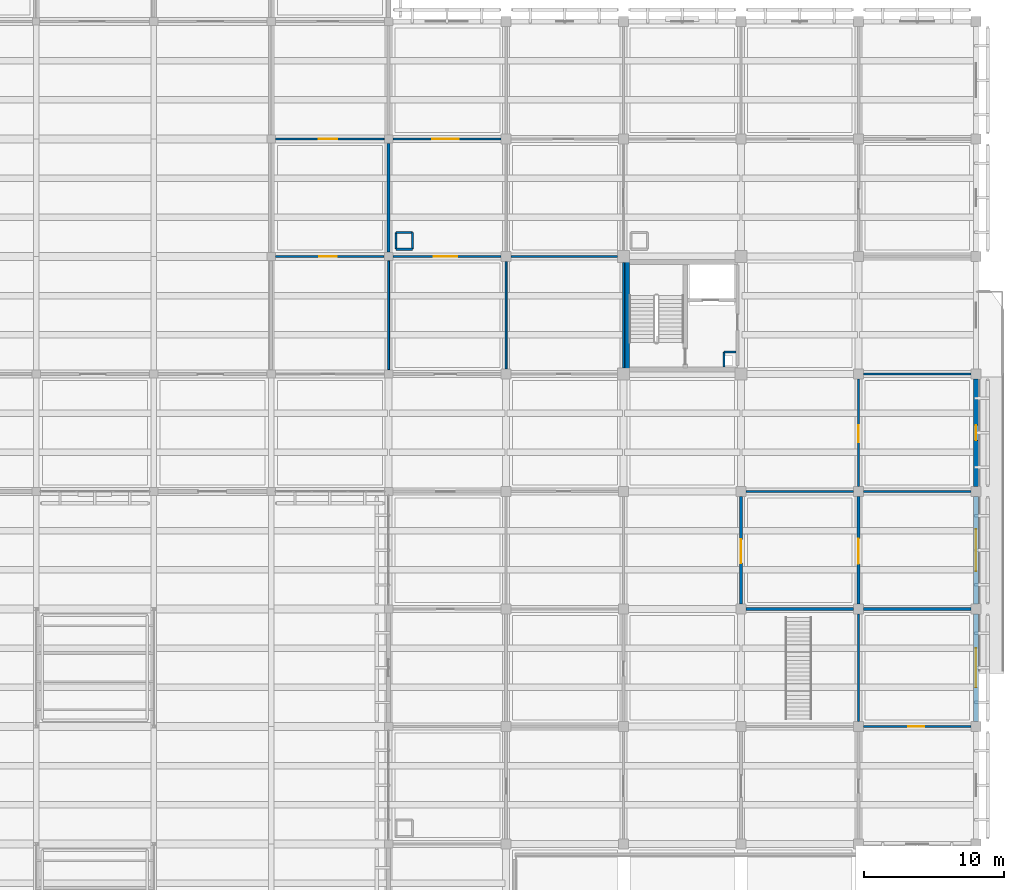
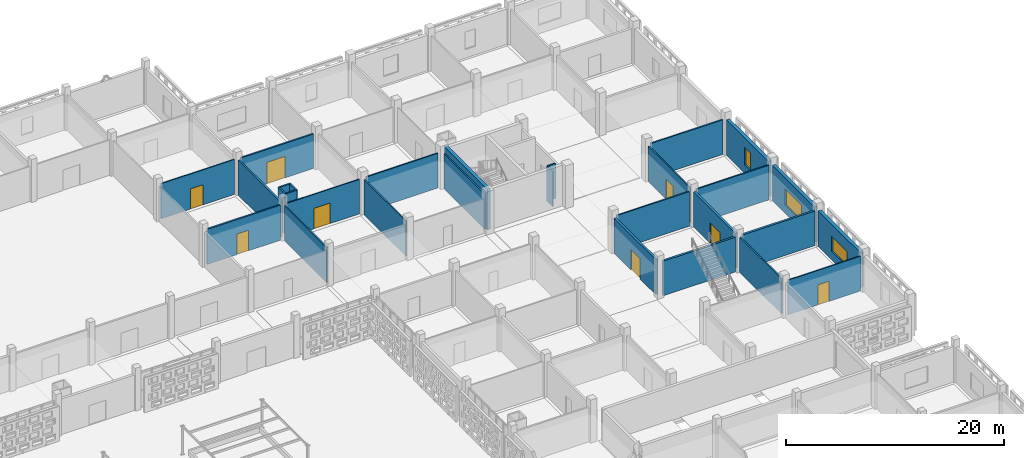
# One storey, part 72 of 129: 29 walls, 8 doors, 3 windows, 11 openings.
"""IFC4 building model written with IfcOpenShell, lengths in metres."""

import ifcopenshell
import ifcopenshell.guid

model = None  # the IFC model being written
_history = None  # IfcOwnerHistory: only IFC2X3 demands one
_inside = {}  # id of a spatial element -> (the spatial element, [elements in it])
_under = {}  # id of a project, library or spatial element -> (it, [spatial elements below it])
_declared = {}  # id of a project -> (the project, [libraries it declares])
_typed = {}  # id of a type object -> (the type object, [elements of that type])
_made_of = {}  # id of a material, layer set ... -> (it, [elements and type objects made of it])


def new_model(schema):
    """Start an empty IFC model of exactly this schema.

    Asked for "IFC4X3", IfcOpenShell would pick the latest addendum, in which some entities
    have other attributes; the version numbers below select the first issue.
    IFC2X3 requires an IfcOwnerHistory on every rooted entity: one is made here for all.
    """
    global model, _history
    if schema == "IFC4X3":
        model = ifcopenshell.file(schema_version=(4, 3, 0, 0))
    else:
        model = ifcopenshell.file(schema=schema)
    _inside.clear()
    _under.clear()
    _declared.clear()
    _typed.clear()
    _made_of.clear()
    _history = None
    if model.schema == "IFC2X3":
        org = make("IfcOrganization", Name="unknown")
        user = make(
            "IfcPersonAndOrganization",
            ThePerson=make("IfcPerson", FamilyName="unknown"),
            TheOrganization=org,
        )
        app = make(
            "IfcApplication",
            ApplicationDeveloper=org,
            Version="unknown",
            ApplicationFullName="unknown",
            ApplicationIdentifier="unknown",
        )
        _history = make(
            "IfcOwnerHistory",
            OwningUser=user,
            OwningApplication=app,
            ChangeAction="ADDED",
            CreationDate=0,
        )
    return model


def make(cls, **values):
    """One entity of the class cls with the attributes given. An attribute that is None is left unset."""
    return model.create_entity(
        cls, **{name: value for name, value in values.items() if value is not None}
    )


def rooted(cls, **values):
    """An entity with a GlobalId (a new one), such as an element, a storey or a relation."""
    return make(cls, GlobalId=ifcopenshell.guid.new(), OwnerHistory=_history, **values)


def si_unit(unit_type, name, prefix=None):
    """IfcSIUnit, for example si_unit("LENGTHUNIT", "METRE", prefix="MILLI")."""
    return make("IfcSIUnit", UnitType=unit_type, Prefix=prefix, Name=name)


def assignment(units):
    """IfcUnitAssignment: the units of a project."""
    return None if units is None else make("IfcUnitAssignment", Units=units)


def point(xyz):
    """IfcCartesianPoint."""
    return None if xyz is None else make("IfcCartesianPoint", Coordinates=xyz)


def direction(xyz):
    """IfcDirection."""
    return None if xyz is None else make("IfcDirection", DirectionRatios=xyz)


def frame(location, z_axis=None, x_axis=None):
    """IfcAxis2Placement3D, a coordinate frame: its origin and axes. An axis left out is left unset."""
    return make(
        "IfcAxis2Placement3D",
        Location=point(location),
        Axis=direction(z_axis),
        RefDirection=direction(x_axis),
    )


def frame_2d(location, x_axis=None):
    """IfcAxis2Placement2D, a coordinate frame in the plane: its origin and x axis."""
    return make(
        "IfcAxis2Placement2D", Location=point(location), RefDirection=direction(x_axis)
    )


def origin():
    """The frame at (0, 0, 0) with its axes left unset."""
    return frame((0.0, 0.0, 0.0))


def place(relative_to, where):
    """IfcLocalPlacement: puts the frame where relative to a parent placement (None: the world)."""
    return make(
        "IfcLocalPlacement", PlacementRelTo=relative_to, RelativePlacement=where
    )


def context(
    kind, dimensions, precision=None, world=None, true_north=None, identifier=None
):
    """IfcGeometricRepresentationContext, for example the 3D "Model" context."""
    return make(
        "IfcGeometricRepresentationContext",
        ContextIdentifier=identifier,
        ContextType=kind,
        CoordinateSpaceDimension=dimensions,
        Precision=precision,
        WorldCoordinateSystem=world,
        TrueNorth=true_north,
    )


def subcontext(parent, identifier, kind, view, scale=None):
    """IfcGeometricRepresentationSubContext, for example "Body" below "Model"."""
    return make(
        "IfcGeometricRepresentationSubContext",
        ContextIdentifier=identifier,
        ContextType=kind,
        ParentContext=parent,
        TargetScale=scale,
        TargetView=view,
    )


def project(units=None, contexts=None):
    """IfcProject with its units and contexts."""
    return rooted(
        "IfcProject",
        Name="project",
        RepresentationContexts=contexts,
        UnitsInContext=assignment(units),
    )


def spatial(cls, under=None, at=None, **own):
    """A site, building, storey or space (cls), placed at a placement, below another one or the project."""
    s = rooted(cls, ObjectPlacement=at, **own)
    if under is not None:
        _under.setdefault(under.id(), (under, []))[1].append(s)
    return s


def profile(cls, at=None, kind="AREA", **sizes):
    """A parametric profile (cls). Its sizes go by their IFC names, for example OverallWidth=200.0."""
    return make(cls, ProfileType=kind, Position=at, **sizes)


def rectangle(**sizes):
    """IfcRectangleProfileDef."""
    return profile("IfcRectangleProfileDef", **sizes)


def extrude(swept, where, along, depth):
    """IfcExtrudedAreaSolid: the profile swept, set in the frame where, extruded along a direction by depth."""
    return make(
        "IfcExtrudedAreaSolid",
        SweptArea=swept,
        Position=where,
        ExtrudedDirection=direction(along),
        Depth=depth,
    )


def shape(context_of_items, identifier, shape_type, items):
    """IfcShapeRepresentation: the items that make up one representation, for example the "Body"."""
    return make(
        "IfcShapeRepresentation",
        ContextOfItems=context_of_items,
        RepresentationIdentifier=identifier,
        RepresentationType=shape_type,
        Items=items,
    )


def material(Name=None, Category=None):
    """IfcMaterial."""
    return make("IfcMaterial", Name=Name, Category=Category)


def layer(
    of_material, thickness, ventilated=None, Name=None, Category=None, Priority=None
):
    """IfcMaterialLayer: one layer of a wall or slab, of a material (None: an air gap)."""
    return make(
        "IfcMaterialLayer",
        Material=of_material,
        LayerThickness=thickness,
        IsVentilated=ventilated,
        Name=Name,
        Category=Category,
        Priority=Priority,
    )


def layer_set(layers, Name=None):
    """IfcMaterialLayerSet."""
    return make("IfcMaterialLayerSet", MaterialLayers=layers, LayerSetName=Name)


def made_of(thing, what):
    """Note that an element or type object is made of a material, layer set ...; save() writes the relation."""
    if what is not None:
        _made_of.setdefault(what.id(), (what, []))[1].append(thing)
    return thing


def type_object(cls, material=None, **own):
    """A type object (cls), such as IfcWallType, which elements share."""
    return made_of(rooted(cls, **own), material)


def element(
    cls,
    number,
    at=None,
    inside=None,
    cuts=None,
    type_object=None,
    material=None,
    context=None,
    identifier="Body",
    shape_type=None,
    held_by="IfcProductDefinitionShape",
    body=None,
    shapes=None,
    **own,
):
    """One element of the class cls, such as IfcWall. Its Tag is "e" and its number.

    at: its placement. inside: the storey or other place that contains it. cuts: it is an
    opening in that element (IfcRelVoidsElement). A single representation is given by context,
    identifier, shape_type and body (its items); several are given by shapes. held_by: the class
    of the entity that holds the representations. save() writes the other relations.
    """
    e = rooted(cls, Tag="e%d" % number, ObjectPlacement=at, **own)
    if body is not None:
        shapes = [shape(context, identifier, shape_type, body)]
    if shapes is not None:
        e.Representation = make(held_by, Representations=shapes)
    if inside is not None:
        _inside.setdefault(inside.id(), (inside, []))[1].append(e)
    if cuts is not None:
        rooted(
            "IfcRelVoidsElement", RelatingBuildingElement=cuts, RelatedOpeningElement=e
        )
    if type_object is not None:
        _typed.setdefault(type_object.id(), (type_object, []))[1].append(e)
    return made_of(e, material)


def fill(opening, filler):
    """IfcRelFillsElement: the door or window that sits in an opening."""
    return rooted(
        "IfcRelFillsElement",
        RelatingOpeningElement=opening,
        RelatedBuildingElement=filler,
    )


def aggregate(whole, parts):
    """IfcRelAggregates: a whole, such as a stair, and the parts it consists of."""
    return rooted("IfcRelAggregates", RelatingObject=whole, RelatedObjects=parts)


def save(model, path):
    """Write the relations noted so far, then the file.

    IfcRelAggregates (storeys below a building ...), IfcRelContainedInSpatialStructure (elements
    in a storey), IfcRelDefinesByType, IfcRelAssociatesMaterial and IfcRelDeclares: one each for
    every whole, place, type object, material and project.
    """
    for whole, parts in _under.values():
        aggregate(whole, parts)
    for where, things in _inside.values():
        rooted(
            "IfcRelContainedInSpatialStructure",
            RelatedElements=things,
            RelatingStructure=where,
        )
    for kind, things in _typed.values():
        rooted("IfcRelDefinesByType", RelatedObjects=things, RelatingType=kind)
    for what, things in _made_of.values():
        rooted("IfcRelAssociatesMaterial", RelatedObjects=things, RelatingMaterial=what)
    for by, libraries in _declared.values():
        rooted("IfcRelDeclares", RelatingContext=by, RelatedDefinitions=libraries)
    model.write(path)


model = new_model("IFC4")

# Units and contexts
model_context = context("Model", 3, precision=1e-05, world=origin(), true_north=direction((0.0, 1.0)))
body_context = subcontext(model_context, "Body", "Model", "MODEL_VIEW")
ifc_project = project(units=[si_unit("LENGTHUNIT", "METRE"), si_unit("AREAUNIT", "SQUARE_METRE"), si_unit("VOLUMEUNIT", "CUBIC_METRE"), si_unit("PLANEANGLEUNIT", "RADIAN"), si_unit("MASSUNIT", "GRAM", prefix="KILO")], contexts=[model_context])

# Site, building, storey
site_placement = place(None, origin())
site = spatial("IfcSite", under=ifc_project, at=site_placement, CompositionType="ELEMENT")
building_placement = place(site_placement, origin())
building = spatial("IfcBuilding", under=site, at=building_placement, Name="Varnapada Polytechnic", CompositionType="ELEMENT")
storey_placement = place(building_placement, origin())
storey = spatial("IfcBuildingStorey", under=building, at=storey_placement, Name="L00", CompositionType="ELEMENT", Elevation=0.0)

# Walls
ifc_material_1 = material(Name="Autoclaved Aerated Concrete Block AAC-600", Category="concrete")
ifc_layer_1 = layer(ifc_material_1, 0.14990234375)
ifc_layer_set_1 = layer_set([ifc_layer_1], Name="Autoclaved Aerated Concrete Block AAC-600")
wall_type_1 = type_object("IfcWallType", Name="Interior Wall IW-02", PredefinedType="PARTITIONING", material=ifc_layer_set_1)
wall_1_placement = place(storey_placement, frame((158.3798828125, 93.9599609375, 0.0), z_axis=(0.0, 0.0, 1.0), x_axis=(0.0, -1.0, 0.0)))
element("IfcWall", 1, at=wall_1_placement, inside=storey, type_object=wall_type_1, Name="L00 C5 riser shaft west wall", PredefinedType="PARTITIONING", context=body_context, shape_type="SweptSolid", body=[
    extrude(rectangle(XDim=1.06005859375, YDim=0.14990234375, at=frame_2d((0.530029296875, 0.0))), origin(), (0.0, 0.0, 1.0), 3.919921875),
])
wall_2_placement = place(storey_placement, frame((158.3798828125, 93.9599609375, 0.0), z_axis=(0.0, 0.0, 1.0), x_axis=(1.0, 0.0, 0.0)))
element("IfcWall", 2, at=wall_2_placement, inside=storey, type_object=wall_type_1, Name="L00 C5 riser shaft north wall", PredefinedType="PARTITIONING", context=body_context, shape_type="SweptSolid", body=[
    extrude(rectangle(XDim=0.860107421875, YDim=0.14990234375, at=frame_2d((0.43017578125, 0.0))), origin(), (0.0, 0.0, 1.0), 3.919921875),
])
wall_3_placement = place(storey_placement, frame((134.919921875, 101.320068359375, 0.0), z_axis=(0.0, 0.0, 1.0), x_axis=(1.0, 0.0, 0.0)))
element("IfcWall", 3, at=wall_3_placement, inside=storey, type_object=wall_type_1, Name="L00 enclosed service riser wall (17,13) S", PredefinedType="PARTITIONING", context=body_context, shape_type="SweptSolid", body=[
    extrude(rectangle(XDim=1.2001953125, YDim=0.14990234375, at=frame_2d((0.60009765625, 0.0))), origin(), (0.0, 0.0, 1.0), 4.550048828125),
])
wall_4_placement = place(storey_placement, frame((136.1201171875, 101.320068359375, 0.0), z_axis=(0.0, 0.0, 1.0), x_axis=(0.0, 1.0, 0.0)))
element("IfcWall", 4, at=wall_4_placement, inside=storey, type_object=wall_type_1, Name="L00 enclosed service riser wall (17,13) E", PredefinedType="PARTITIONING", context=body_context, shape_type="SweptSolid", body=[
    extrude(rectangle(XDim=1.199951171875, YDim=0.14990234375, at=frame_2d((0.60009765625, 0.0))), origin(), (0.0, 0.0, 1.0), 4.550048828125),
])
wall_5_placement = place(storey_placement, frame((136.1201171875, 102.52001953125, 0.0), z_axis=(0.0, 0.0, 1.0), x_axis=(-1.0, 0.0, 0.0)))
element("IfcWall", 5, at=wall_5_placement, inside=storey, type_object=wall_type_1, Name="L00 enclosed service riser wall (17,13) N", PredefinedType="PARTITIONING", context=body_context, shape_type="SweptSolid", body=[
    extrude(rectangle(XDim=1.2001953125, YDim=0.14990234375, at=frame_2d((0.60009765625, 0.0))), origin(), (0.0, 0.0, 1.0), 4.550048828125),
])
wall_6_placement = place(storey_placement, frame((134.919921875, 102.52001953125, 0.0), z_axis=(0.0, 0.0, 1.0), x_axis=(0.0, -1.0, 0.0)))
element("IfcWall", 6, at=wall_6_placement, inside=storey, type_object=wall_type_1, Name="L00 enclosed service riser wall (17,13) W", PredefinedType="PARTITIONING", context=body_context, shape_type="SweptSolid", body=[
    extrude(rectangle(XDim=1.199951171875, YDim=0.14990234375, at=frame_2d((0.60009765625, 0.0))), origin(), (0.0, 0.0, 1.0), 4.550048828125),
])
wall_7_placement = place(storey_placement, frame((159.969970703125, 84.0, 0.0), z_axis=(0.0, 0.0, 1.0), x_axis=(1.0, 0.0, 0.0)))
element("IfcWall", 7, at=wall_7_placement, inside=storey, type_object=wall_type_1, Name="L00 interior partition IW-L00-19-09-H", PredefinedType="PARTITIONING", context=body_context, shape_type="SweptSolid", body=[
    extrude(rectangle(XDim=7.659912109375, YDim=0.14990234375, at=frame_2d((3.830078125, 0.0))), origin(), (0.0, 0.0, 1.0), 3.8701171875),
])

# Wall, opening, door
ifc_material_2 = material(Name="Gypsum Plasterboard Acoustic Partition")
ifc_layer_2 = layer(ifc_material_2, 0.125)
ifc_layer_set_2 = layer_set([ifc_layer_2], Name="Gypsum Plasterboard Acoustic Partition")
wall_type_2 = type_object("IfcWallType", Name="Interior Wall IW-03", PredefinedType="PARTITIONING", material=ifc_layer_set_2)
wall_8_placement = place(storey_placement, frame((134.719970703125, 100.800048828125, 0.0), z_axis=(0.0, 0.0, 1.0), x_axis=(1.0, 0.0, 0.0)))
wall_8 = element("IfcWall", 8, at=wall_8_placement, inside=storey, type_object=wall_type_2, Name="L00 interior partition IW-L00-16-11-H", PredefinedType="PARTITIONING", context=body_context, shape_type="SweptSolid", body=[
    extrude(rectangle(XDim=7.7099609375, YDim=0.125, at=frame_2d((3.85498046875, 0.0))), origin(), (0.0, 0.0, 1.0), 3.860107421875),
])
opening_1_placement = place(wall_8_placement, frame((2.89990234375, 0.0, 0.0)))
opening_1 = element("IfcOpeningElement", 9, at=opening_1_placement, cuts=wall_8, Name="Opening D-912", PredefinedType="OPENING", context=body_context, shape_type="SweptSolid", body=[
    extrude(rectangle(XDim=1.699951171875, YDim=2.300048828125, at=frame_2d((0.85009765625, 1.14990234375))), frame((0.0, 0.072509765625, 0.0), z_axis=(0.0, -1.0, 0.0), x_axis=(1.0, 0.0, 0.0)), (0.0, 0.0, 1.0), 0.14501953125),
])
ifc_material_3 = material(Name="Acoustic Double Timber Leaf", Category="wood")
door_type_1 = type_object("IfcDoorType", Name="Interior Door ID-13", OperationType="NOTDEFINED", PredefinedType="DOOR", material=ifc_material_3)
door_1_placement = place(opening_1_placement, origin())
door_1 = element("IfcDoor", 10, at=door_1_placement, inside=storey, type_object=door_type_1, Name="L00 interior room door D-912", OperationType="SINGLE_SWING_LEFT", OverallHeight=2.300048828125, OverallWidth=1.699951171875, PredefinedType="DOOR", context=body_context, shape_type="SweptSolid", body=[
    extrude(rectangle(XDim=1.699951171875, YDim=2.300048828125, at=frame_2d((0.85009765625, 1.14990234375))), frame((0.0, 0.02490234375, 0.0), z_axis=(0.0, -1.0, 0.0), x_axis=(1.0, 0.0, 0.0)), (0.0, 0.0, 1.0), 0.050048828125),
])
fill(opening_1, door_1)

wall_9_placement = place(storey_placement, frame((168.0, 84.3701171875, 0.0), z_axis=(0.0, 0.0, 1.0), x_axis=(0.0, 1.0, 0.0)))
wall_9 = element("IfcWall", 11, at=wall_9_placement, inside=storey, type_object=wall_type_2, Name="L00 interior partition IW-L00-19-10-V", PredefinedType="PARTITIONING", context=body_context, shape_type="SweptSolid", body=[
    extrude(rectangle(XDim=7.659912109375, YDim=0.125, at=frame_2d((3.830078125, 0.0))), origin(), (0.0, 0.0, 1.0), 3.919921875),
])
opening_2_placement = place(wall_9_placement, frame((3.14990234375, 0.0, 0.0)))
opening_2 = element("IfcOpeningElement", 12, at=opening_2_placement, cuts=wall_9, Name="Opening D-938", PredefinedType="OPENING", context=body_context, shape_type="SweptSolid", body=[
    extrude(rectangle(XDim=1.199951171875, YDim=2.199951171875, at=frame_2d((0.60009765625, 1.10009765625))), frame((0.0, 0.072509765625, 0.0), z_axis=(0.0, -1.0, 0.0), x_axis=(1.0, 0.0, 0.0)), (0.0, 0.0, 1.0), 0.14501953125),
])
ifc_material_4 = material(Name="Solid Teak Hardwood Timber", Category="wood")
door_type_2 = type_object("IfcDoorType", Name="Interior Door ID-05", OperationType="NOTDEFINED", PredefinedType="DOOR", material=ifc_material_4)
door_2_placement = place(opening_2_placement, frame((1.199951171875, 0.0, 0.0), z_axis=(0.0, 0.0, 1.0), x_axis=(-1.0, 0.0, 0.0)))
door_2 = element("IfcDoor", 13, at=door_2_placement, inside=storey, type_object=door_type_2, Name="L00 interior room door D-938", OperationType="SINGLE_SWING_LEFT", OverallHeight=2.199951171875, OverallWidth=1.199951171875, PredefinedType="DOOR", context=body_context, shape_type="SweptSolid", body=[
    extrude(rectangle(XDim=1.199951171875, YDim=2.199951171875, at=frame_2d((0.60009765625, 1.10009765625))), frame((0.0, 0.02490234375, 0.0), z_axis=(0.0, -1.0, 0.0), x_axis=(1.0, 0.0, 0.0)), (0.0, 0.0, 1.0), 0.050048828125),
])
fill(opening_2, door_2)

# Walls
ifc_material_5 = material(Name="Moisture-Resistant Cement Board Partition")
ifc_layer_3 = layer(ifc_material_5, 0.139892578125)
ifc_layer_set_3 = layer_set([ifc_layer_3], Name="Moisture-Resistant Cement Board Partition")
wall_type_3 = type_object("IfcWallType", Name="Interior Wall IW-04", PredefinedType="PARTITIONING", material=ifc_layer_set_3)
wall_10_placement = place(storey_placement, frame((142.800048828125, 92.77001953125, 0.0), z_axis=(0.0, 0.0, 1.0), x_axis=(0.0, 1.0, 0.0)))
element("IfcWall", 14, at=wall_10_placement, inside=storey, type_object=wall_type_3, Name="L00 interior partition IW-L00-16-11-V", PredefinedType="PARTITIONING", context=body_context, shape_type="SweptSolid", body=[
    extrude(rectangle(XDim=7.659912109375, YDim=0.139892578125, at=frame_2d((3.830078125, 0.0))), origin(), (0.0, 0.0, 1.0), 3.919921875),
])
wall_11_placement = place(storey_placement, frame((151.199951171875, 92.844970703125, 0.0), z_axis=(0.0, 0.0, 1.0), x_axis=(0.0, 1.0, 0.0)))
element("IfcWall", 15, at=wall_11_placement, inside=storey, type_object=wall_type_3, Name="L00 interior partition IW-L00-17-11-V", PredefinedType="PARTITIONING", context=body_context, shape_type="SweptSolid", body=[
    extrude(rectangle(XDim=7.510009765625, YDim=0.139892578125, at=frame_2d((3.7548828125, 0.0))), origin(), (0.0, 0.0, 1.0), 3.919921875),
])
wall_12_placement = place(storey_placement, frame((143.169921875, 100.800048828125, 0.0), z_axis=(0.0, 0.0, 1.0), x_axis=(1.0, 0.0, 0.0)))
element("IfcWall", 16, at=wall_12_placement, inside=storey, type_object=wall_type_3, Name="L00 interior partition IW-L00-17-11-H", PredefinedType="PARTITIONING", context=body_context, shape_type="SweptSolid", body=[
    extrude(rectangle(XDim=7.5849609375, YDim=0.139892578125, at=frame_2d((3.79248046875, 0.0))), origin(), (0.0, 0.0, 1.0), 3.8701171875),
])

# Wall, opening, door
ifc_material_6 = material(Name="Cross-laminated timber CLT C24", Category="wood")
ifc_layer_4 = layer(ifc_material_6, 0.159912109375)
ifc_layer_set_4 = layer_set([ifc_layer_4], Name="Cross-laminated timber CLT C24")
wall_type_4 = type_object("IfcWallType", Name="Interior Wall IW-05", PredefinedType="PARTITIONING", material=ifc_layer_set_4)
wall_13_placement = place(storey_placement, frame((134.719970703125, 109.199951171875, 0.0), z_axis=(0.0, 0.0, 1.0), x_axis=(1.0, 0.0, 0.0)))
wall_13 = element("IfcWall", 17, at=wall_13_placement, inside=storey, type_object=wall_type_4, Name="L00 interior partition IW-L00-16-12-H", PredefinedType="PARTITIONING", context=body_context, shape_type="SweptSolid", body=[
    extrude(rectangle(XDim=7.7099609375, YDim=0.159912109375, at=frame_2d((3.85498046875, 0.0))), origin(), (0.0, 0.0, 1.0), 3.860107421875),
])
opening_3_placement = place(wall_13_placement, frame((2.800048828125, 0.0, 0.0)))
opening_3 = element("IfcOpeningElement", 18, at=opening_3_placement, cuts=wall_13, Name="Opening D-913", PredefinedType="OPENING", context=body_context, shape_type="SweptSolid", body=[
    extrude(rectangle(XDim=1.89990234375, YDim=2.39990234375, at=frame_2d((0.949951171875, 1.199951171875))), frame((0.0, 0.08984375, 0.0), z_axis=(0.0, -1.0, 0.0), x_axis=(1.0, 0.0, 0.0)), (0.0, 0.0, 1.0), 0.179931640625),
])
ifc_material_7 = material(Name="Heavy Workshop Double Steel Door", Category="steel")
door_type_3 = type_object("IfcDoorType", Name="Interior Door ID-14", OperationType="NOTDEFINED", PredefinedType="DOOR", material=ifc_material_7)
door_3_placement = place(opening_3_placement, origin())
door_3 = element("IfcDoor", 19, at=door_3_placement, inside=storey, type_object=door_type_3, Name="L00 interior room door D-913", OperationType="SINGLE_SWING_RIGHT", OverallHeight=2.39990234375, OverallWidth=1.89990234375, PredefinedType="DOOR", context=body_context, shape_type="SweptSolid", body=[
    extrude(rectangle(XDim=1.89990234375, YDim=2.39990234375, at=frame_2d((0.949951171875, 1.199951171875))), frame((0.0, 0.02490234375, 0.0), z_axis=(0.0, -1.0, 0.0), x_axis=(1.0, 0.0, 0.0)), (0.0, 0.0, 1.0), 0.050048828125),
])
fill(opening_3, door_3)

# Wall
ifc_material_8 = material(Name="Calcium Silicate Acoustic Lab Partition")
ifc_layer_5 = layer(ifc_material_8, 0.135009765625)
ifc_layer_set_5 = layer_set([ifc_layer_5], Name="Calcium Silicate Acoustic Lab Partition")
wall_type_5 = type_object("IfcWallType", Name="Interior Wall IW-09", PredefinedType="PARTITIONING", material=ifc_layer_set_5)
wall_14_placement = place(storey_placement, frame((134.39990234375, 92.719970703125, 0.0), z_axis=(0.0, 0.0, 1.0), x_axis=(0.0, 1.0, 0.0)))
element("IfcWall", 20, at=wall_14_placement, inside=storey, type_object=wall_type_5, Name="L00 interior partition IW-L00-15-11-V", PredefinedType="PARTITIONING", context=body_context, shape_type="SweptSolid", body=[
    extrude(rectangle(XDim=7.760009765625, YDim=0.135009765625, at=frame_2d((3.8798828125, 0.0))), origin(), (0.0, 0.0, 1.0), 3.919921875),
])

# Wall, opening, door
ifc_material_9 = material(Name="Double-Layer Fireboard Workshop Wall")
ifc_layer_6 = layer(ifc_material_9, 0.169921875)
ifc_layer_set_6 = layer_set([ifc_layer_6], Name="Double-Layer Fireboard Workshop Wall")
wall_type_6 = type_object("IfcWallType", Name="Interior Wall IW-10", PredefinedType="PARTITIONING", material=ifc_layer_set_6)
wall_15_placement = place(storey_placement, frame((126.320068359375, 100.800048828125, 0.0), z_axis=(0.0, 0.0, 1.0), x_axis=(1.0, 0.0, 0.0)))
wall_15 = element("IfcWall", 21, at=wall_15_placement, inside=storey, type_object=wall_type_6, Name="L00 interior partition IW-L00-15-11-H", PredefinedType="PARTITIONING", context=body_context, shape_type="SweptSolid", body=[
    extrude(rectangle(XDim=7.760009765625, YDim=0.169921875, at=frame_2d((3.8798828125, 0.0))), origin(), (0.0, 0.0, 1.0), 3.919921875),
])
opening_4_placement = place(wall_15_placement, frame((3.125, 0.0, 0.0)))
opening_4 = element("IfcOpeningElement", 22, at=opening_4_placement, cuts=wall_15, Name="Opening D-898", PredefinedType="OPENING", context=body_context, shape_type="SweptSolid", body=[
    extrude(rectangle(XDim=1.25, YDim=2.300048828125, at=frame_2d((0.625, 1.14990234375))), frame((0.0, 0.094970703125, 0.0), z_axis=(0.0, -1.0, 0.0), x_axis=(1.0, 0.0, 0.0)), (0.0, 0.0, 1.0), 0.18994140625),
])
door_type_4 = type_object("IfcDoorType", Name="Interior Door ID-16", OperationType="NOTDEFINED", PredefinedType="DOOR", material=ifc_material_4)
door_4_placement = place(opening_4_placement, origin())
door_4 = element("IfcDoor", 23, at=door_4_placement, inside=storey, type_object=door_type_4, Name="L00 interior room door D-898", OperationType="SINGLE_SWING_LEFT", OverallHeight=2.300048828125, OverallWidth=1.25, PredefinedType="DOOR", context=body_context, shape_type="SweptSolid", body=[
    extrude(rectangle(XDim=1.25, YDim=2.300048828125, at=frame_2d((0.625, 1.14990234375))), frame((0.0, 0.02490234375, 0.0), z_axis=(0.0, -1.0, 0.0), x_axis=(1.0, 0.0, 0.0)), (0.0, 0.0, 1.0), 0.050048828125),
])
fill(opening_4, door_4)

# Wall
ifc_material_10 = material(Name="Insulated Masonry Plant Room Wall", Category="masonry")
ifc_layer_7 = layer(ifc_material_10, 0.18994140625)
ifc_layer_set_7 = layer_set([ifc_layer_7], Name="Insulated Masonry Plant Room Wall")
wall_type_7 = type_object("IfcWallType", Name="Interior Wall IW-11", PredefinedType="PARTITIONING", material=ifc_layer_set_7)
wall_16_placement = place(storey_placement, frame((134.39990234375, 101.1201171875, 0.0), z_axis=(0.0, 0.0, 1.0), x_axis=(0.0, 1.0, 0.0)))
element("IfcWall", 24, at=wall_16_placement, inside=storey, type_object=wall_type_7, Name="L00 interior partition IW-L00-15-12-V", PredefinedType="PARTITIONING", context=body_context, shape_type="SweptSolid", body=[
    extrude(rectangle(XDim=7.759765625, YDim=0.18994140625, at=frame_2d((3.8798828125, 0.0))), origin(), (0.0, 0.0, 1.0), 3.919921875),
])

# Wall, opening, door
ifc_material_11 = material(Name="Timber-Stud Studio Critique Partition", Category="wood")
ifc_layer_8 = layer(ifc_material_11, 0.114990234375)
ifc_layer_set_8 = layer_set([ifc_layer_8], Name="Timber-Stud Studio Critique Partition")
wall_type_8 = type_object("IfcWallType", Name="Interior Wall IW-12", PredefinedType="PARTITIONING", material=ifc_layer_set_8)
wall_17_placement = place(storey_placement, frame((126.320068359375, 109.199951171875, 0.0), z_axis=(0.0, 0.0, 1.0), x_axis=(1.0, 0.0, 0.0)))
wall_17 = element("IfcWall", 25, at=wall_17_placement, inside=storey, type_object=wall_type_8, Name="L00 interior partition IW-L00-15-12-H", PredefinedType="PARTITIONING", context=body_context, shape_type="SweptSolid", body=[
    extrude(rectangle(XDim=7.760009765625, YDim=0.114990234375, at=frame_2d((3.8798828125, 0.0))), origin(), (0.0, 0.0, 1.0), 3.919921875),
])
opening_5_placement = place(wall_17_placement, frame((3.074951171875, 0.0, 0.0)))
opening_5 = element("IfcOpeningElement", 26, at=opening_5_placement, cuts=wall_17, Name="Opening D-899", PredefinedType="OPENING", context=body_context, shape_type="SweptSolid", body=[
    extrude(rectangle(XDim=1.35009765625, YDim=2.25, at=frame_2d((0.675048828125, 1.125))), frame((0.0, 0.0673828125, 0.0), z_axis=(0.0, -1.0, 0.0), x_axis=(1.0, 0.0, 0.0)), (0.0, 0.0, 1.0), 0.135009765625),
])
ifc_material_12 = material(Name="Powder-Coated Aluminium 6063-T6", Category="aluminium")
door_type_5 = type_object("IfcDoorType", Name="Interior Door ID-17", OperationType="NOTDEFINED", PredefinedType="DOOR", material=ifc_material_12)
door_5_placement = place(opening_5_placement, frame((1.35009765625, 0.0, 0.0), z_axis=(0.0, 0.0, 1.0), x_axis=(-1.0, 0.0, 0.0)))
door_5 = element("IfcDoor", 27, at=door_5_placement, inside=storey, type_object=door_type_5, Name="L00 interior room door D-899", OperationType="SINGLE_SWING_RIGHT", OverallHeight=2.25, OverallWidth=1.35009765625, PredefinedType="DOOR", context=body_context, shape_type="SweptSolid", body=[
    extrude(rectangle(XDim=1.35009765625, YDim=2.25, at=frame_2d((0.675048828125, 1.125))), frame((0.0, 0.02490234375, 0.0), z_axis=(0.0, -1.0, 0.0), x_axis=(1.0, 0.0, 0.0)), (0.0, 0.0, 1.0), 0.050048828125),
])
fill(opening_5, door_5)

wall_18_placement = place(storey_placement, frame((168.3701171875, 67.199951171875, 0.0), z_axis=(0.0, 0.0, 1.0), x_axis=(1.0, 0.0, 0.0)))
wall_18 = element("IfcWall", 28, at=wall_18_placement, inside=storey, type_object=wall_type_8, Name="L00 interior partition IW-L00-20-07-H", PredefinedType="PARTITIONING", context=body_context, shape_type="SweptSolid", body=[
    extrude(rectangle(XDim=7.659912109375, YDim=0.114990234375, at=frame_2d((3.830078125, 0.0))), origin(), (0.0, 0.0, 1.0), 3.8701171875),
])
opening_6_placement = place(wall_18_placement, frame((3.175048828125, 0.0, 0.0)))
opening_6 = element("IfcOpeningElement", 29, at=opening_6_placement, cuts=wall_18, Name="Opening D-943", PredefinedType="OPENING", context=body_context, shape_type="SweptSolid", body=[
    extrude(rectangle(XDim=1.14990234375, YDim=2.25, at=frame_2d((0.574951171875, 1.125))), frame((0.0, 0.0673828125, 0.0), z_axis=(0.0, -1.0, 0.0), x_axis=(1.0, 0.0, 0.0)), (0.0, 0.0, 1.0), 0.135009765625),
])
door_type_6 = type_object("IfcDoorType", Name="Interior Door ID-10", OperationType="NOTDEFINED", PredefinedType="DOOR", material=ifc_material_12)
door_6_placement = place(opening_6_placement, origin())
door_6 = element("IfcDoor", 30, at=door_6_placement, inside=storey, type_object=door_type_6, Name="L00 interior room door D-943", OperationType="SINGLE_SWING_RIGHT", OverallHeight=2.25, OverallWidth=1.14990234375, PredefinedType="DOOR", context=body_context, shape_type="SweptSolid", body=[
    extrude(rectangle(XDim=1.14990234375, YDim=2.25, at=frame_2d((0.574951171875, 1.125))), frame((0.0, 0.02490234375, 0.0), z_axis=(0.0, -1.0, 0.0), x_axis=(1.0, 0.0, 0.0)), (0.0, 0.0, 1.0), 0.050048828125),
])
fill(opening_6, door_6)

# Walls
ifc_material_13 = material(Name="Heavy Acoustic Auditorium Baffle Wall")
ifc_layer_9 = layer(ifc_material_13, 0.219970703125)
ifc_layer_set_9 = layer_set([ifc_layer_9], Name="Heavy Acoustic Auditorium Baffle Wall")
wall_type_9 = type_object("IfcWallType", Name="Interior Wall IW-13", PredefinedType="PARTITIONING", material=ifc_layer_set_9)
wall_19_placement = place(storey_placement, frame((168.3701171875, 75.60009765625, 0.0), z_axis=(0.0, 0.0, 1.0), x_axis=(1.0, 0.0, 0.0)))
element("IfcWall", 31, at=wall_19_placement, inside=storey, type_object=wall_type_9, Name="L00 interior partition IW-L00-20-08-H", PredefinedType="PARTITIONING", context=body_context, shape_type="SweptSolid", body=[
    extrude(rectangle(XDim=7.659912109375, YDim=0.219970703125, at=frame_2d((3.830078125, 0.0))), origin(), (0.0, 0.0, 1.0), 3.8701171875),
])
ifc_material_14 = material(Name="Ceramic-Tiled Wet Laboratory Wall")
ifc_layer_10 = layer(ifc_material_14, 0.14501953125)
ifc_layer_set_10 = layer_set([ifc_layer_10], Name="Ceramic-Tiled Wet Laboratory Wall")
wall_type_10 = type_object("IfcWallType", Name="Interior Wall IW-14", PredefinedType="PARTITIONING", material=ifc_layer_set_10)
wall_20_placement = place(storey_placement, frame((168.3701171875, 84.0, 0.0), z_axis=(0.0, 0.0, 1.0), x_axis=(1.0, 0.0, 0.0)))
element("IfcWall", 32, at=wall_20_placement, inside=storey, type_object=wall_type_10, Name="L00 interior partition IW-L00-20-09-H", PredefinedType="PARTITIONING", context=body_context, shape_type="SweptSolid", body=[
    extrude(rectangle(XDim=7.659912109375, YDim=0.14501953125, at=frame_2d((3.830078125, 0.0))), origin(), (0.0, 0.0, 1.0), 3.8701171875),
])
ifc_material_15 = material(Name="Perforated Timber-Lined Seminar Wall", Category="wood")
ifc_layer_11 = layer(ifc_material_15, 0.155029296875)
ifc_layer_set_11 = layer_set([ifc_layer_11], Name="Perforated Timber-Lined Seminar Wall")
wall_type_11 = type_object("IfcWallType", Name="Interior Wall IW-15", PredefinedType="PARTITIONING", material=ifc_layer_set_11)
wall_21_placement = place(storey_placement, frame((168.0, 67.570068359375, 0.0), z_axis=(0.0, 0.0, 1.0), x_axis=(0.0, 1.0, 0.0)))
element("IfcWall", 33, at=wall_21_placement, inside=storey, type_object=wall_type_11, Name="L00 interior partition IW-L00-19-08-V", PredefinedType="PARTITIONING", context=body_context, shape_type="SweptSolid", body=[
    extrude(rectangle(XDim=7.659912109375, YDim=0.155029296875, at=frame_2d((3.830078125, 0.0))), origin(), (0.0, 0.0, 1.0), 3.919921875),
])
wall_22_placement = place(storey_placement, frame((168.3701171875, 92.39990234375, 0.0), z_axis=(0.0, 0.0, 1.0), x_axis=(1.0, 0.0, 0.0)))
element("IfcWall", 34, at=wall_22_placement, inside=storey, type_object=wall_type_11, Name="L00 interior partition IW-L00-20-10-H", PredefinedType="PARTITIONING", context=body_context, shape_type="SweptSolid", body=[
    extrude(rectangle(XDim=7.659912109375, YDim=0.155029296875, at=frame_2d((3.830078125, 0.0))), origin(), (0.0, 0.0, 1.0), 3.8701171875),
])
ifc_material_16 = material(Name="Heavy Masonry Workshop Partition", Category="masonry")
ifc_layer_12 = layer(ifc_material_16, 0.2099609375)
ifc_layer_set_12 = layer_set([ifc_layer_12], Name="Heavy Masonry Workshop Partition")
wall_type_12 = type_object("IfcWallType", Name="Interior Wall IW-16", PredefinedType="PARTITIONING", material=ifc_layer_set_12)
wall_23_placement = place(storey_placement, frame((159.969970703125, 75.60009765625, 0.0), z_axis=(0.0, 0.0, 1.0), x_axis=(1.0, 0.0, 0.0)))
element("IfcWall", 35, at=wall_23_placement, inside=storey, type_object=wall_type_12, Name="L00 interior partition IW-L00-19-08-H", PredefinedType="PARTITIONING", context=body_context, shape_type="SweptSolid", body=[
    extrude(rectangle(XDim=7.659912109375, YDim=0.2099609375, at=frame_2d((3.830078125, 0.0))), origin(), (0.0, 0.0, 1.0), 3.8701171875),
])

# Wall, opening, door
ifc_material_17 = material(Name="Double-Leaf Acoustic Lecture Wall")
ifc_layer_13 = layer(ifc_material_17, 0.235107421875)
ifc_layer_set_13 = layer_set([ifc_layer_13], Name="Double-Leaf Acoustic Lecture Wall")
wall_type_13 = type_object("IfcWallType", Name="Interior Wall IW-17", PredefinedType="PARTITIONING", material=ifc_layer_set_13)
wall_24_placement = place(storey_placement, frame((159.60009765625, 75.969970703125, 0.0), z_axis=(0.0, 0.0, 1.0), x_axis=(0.0, 1.0, 0.0)))
wall_24 = element("IfcWall", 36, at=wall_24_placement, inside=storey, type_object=wall_type_13, Name="L00 interior partition IW-L00-18-09-V", PredefinedType="PARTITIONING", context=body_context, shape_type="SweptSolid", body=[
    extrude(rectangle(XDim=7.659912109375, YDim=0.235107421875, at=frame_2d((3.830078125, 0.0))), origin(), (0.0, 0.0, 1.0), 3.919921875),
])
opening_7_placement = place(wall_24_placement, frame((2.89990234375, 0.0, 0.0)))
opening_7 = element("IfcOpeningElement", 37, at=opening_7_placement, cuts=wall_24, Name="Opening D-929", PredefinedType="OPENING", context=body_context, shape_type="SweptSolid", body=[
    extrude(rectangle(XDim=1.699951171875, YDim=2.300048828125, at=frame_2d((0.85009765625, 1.14990234375))), frame((0.0, 0.12744140625, 0.0), z_axis=(0.0, -1.0, 0.0), x_axis=(1.0, 0.0, 0.0)), (0.0, 0.0, 1.0), 0.255126953125),
])
door_7_placement = place(opening_7_placement, frame((1.699951171875, 0.0, 0.0), z_axis=(0.0, 0.0, 1.0), x_axis=(-1.0, 0.0, 0.0)))
door_7 = element("IfcDoor", 38, at=door_7_placement, inside=storey, type_object=door_type_1, Name="L00 interior room door D-929", OperationType="SINGLE_SWING_RIGHT", OverallHeight=2.300048828125, OverallWidth=1.699951171875, PredefinedType="DOOR", context=body_context, shape_type="SweptSolid", body=[
    extrude(rectangle(XDim=1.699951171875, YDim=2.300048828125, at=frame_2d((0.85009765625, 1.14990234375))), frame((0.0, 0.02490234375, 0.0), z_axis=(0.0, -1.0, 0.0), x_axis=(1.0, 0.0, 0.0)), (0.0, 0.0, 1.0), 0.050048828125),
])
fill(opening_7, door_7)

wall_25_placement = place(storey_placement, frame((168.0, 75.969970703125, 0.0), z_axis=(0.0, 0.0, 1.0), x_axis=(0.0, 1.0, 0.0)))
wall_25 = element("IfcWall", 39, at=wall_25_placement, inside=storey, type_object=wall_type_13, Name="L00 interior partition IW-L00-19-09-V", PredefinedType="PARTITIONING", context=body_context, shape_type="SweptSolid", body=[
    extrude(rectangle(XDim=7.659912109375, YDim=0.235107421875, at=frame_2d((3.830078125, 0.0))), origin(), (0.0, 0.0, 1.0), 3.919921875),
])
opening_8_placement = place(wall_25_placement, frame((2.85009765625, 0.0, 0.0)))
opening_8 = element("IfcOpeningElement", 40, at=opening_8_placement, cuts=wall_25, Name="Opening D-937", PredefinedType="OPENING", context=body_context, shape_type="SweptSolid", body=[
    extrude(rectangle(XDim=1.800048828125, YDim=2.300048828125, at=frame_2d((0.89990234375, 1.14990234375))), frame((0.0, 0.12744140625, 0.0), z_axis=(0.0, -1.0, 0.0), x_axis=(1.0, 0.0, 0.0)), (0.0, 0.0, 1.0), 0.255126953125),
])
door_type_7 = type_object("IfcDoorType", Name="Interior Door ID-04", OperationType="NOTDEFINED", PredefinedType="DOOR", material=ifc_material_3)
door_8_placement = place(opening_8_placement, origin())
door_8 = element("IfcDoor", 41, at=door_8_placement, inside=storey, type_object=door_type_7, Name="L00 interior room door D-937", OperationType="SINGLE_SWING_RIGHT", OverallHeight=2.300048828125, OverallWidth=1.800048828125, PredefinedType="DOOR", context=body_context, shape_type="SweptSolid", body=[
    extrude(rectangle(XDim=1.800048828125, YDim=2.300048828125, at=frame_2d((0.89990234375, 1.14990234375))), frame((0.0, 0.02490234375, 0.0), z_axis=(0.0, -1.0, 0.0), x_axis=(1.0, 0.0, 0.0)), (0.0, 0.0, 1.0), 0.050048828125),
])
fill(opening_8, door_8)

# Wall
ifc_material_18 = material(Name="Concrete C40/50", Category="concrete")
ifc_layer_14 = layer(ifc_material_18, 0.35009765625)
ifc_layer_set_14 = layer_set([ifc_layer_14], Name="Concrete C40/50")
wall_type_14 = type_object("IfcWallType", Name="Interior Wall SW-01", PredefinedType="SHEAR", material=ifc_layer_set_14)
wall_26_placement = place(storey_placement, frame((151.465087890625, 92.64990234375, 0.0), z_axis=(0.0, 0.0, 1.0), x_axis=(0.0, 1.0, 0.0)))
element("IfcWall", 42, at=wall_26_placement, inside=storey, type_object=wall_type_14, Name="L00 C5 stair west shear wall", PredefinedType="SHEAR", context=body_context, shape_type="SweptSolid", body=[
    extrude(rectangle(XDim=7.940185546875, YDim=0.35009765625, at=frame_2d((3.97021484375, 0.0))), origin(), (0.0, 0.0, 1.0), 4.550048828125),
])

# Wall, opening, window
ifc_material_19 = material(Name="Precast concrete C40/50", Category="concrete")
ifc_layer_15 = layer(ifc_material_19, 0.340087890625)
ifc_layer_set_15 = layer_set([ifc_layer_15], Name="Precast concrete C40/50")
wall_type_15 = type_object("IfcWallType", Name="Wall EW-07", PredefinedType="SOLIDWALL", material=ifc_layer_set_15)
wall_27_placement = place(storey_placement, frame((176.39990234375, 75.25, 0.0), z_axis=(0.0, 0.0, 1.0), x_axis=(0.0, -1.0, 0.0)))
wall_27 = element("IfcWall", 43, at=wall_27_placement, inside=storey, type_object=wall_type_15, Name="L00 exterior wall EW-07 (107)", PredefinedType="SOLIDWALL", context=body_context, shape_type="SweptSolid", body=[
    extrude(rectangle(XDim=7.699951171875, YDim=0.340087890625, at=frame_2d((3.85009765625, 0.0))), origin(), (0.0, 0.0, 1.0), 3.9599609375),
])
opening_9_placement = place(wall_27_placement, frame((2.449951171875, 0.0, 0.949951171875)))
opening_9 = element("IfcOpeningElement", 44, at=opening_9_placement, cuts=wall_27, Name="Opening WN-13", PredefinedType="OPENING", context=body_context, shape_type="SweptSolid", body=[
    extrude(rectangle(XDim=2.800048828125, YDim=1.64990234375, at=frame_2d((1.39990234375, 0.824951171875))), frame((0.0, 0.179931640625, 0.0), z_axis=(0.0, -1.0, 0.0), x_axis=(1.0, 0.0, 0.0)), (0.0, 0.0, 1.0), 0.360107421875),
])
ifc_material_20 = material(Name="Double low-E laminated glass", Category="glass")
window_type_1 = type_object("IfcWindowType", Name="Window WN-13", PartitioningType="SINGLE_PANEL", PredefinedType="WINDOW", material=ifc_material_20)
window_1_placement = place(opening_9_placement, origin())
window_1 = element("IfcWindow", 45, at=window_1_placement, inside=storey, type_object=window_type_1, Name="L00 window WN-13 (60)", OverallHeight=1.64990234375, OverallWidth=2.800048828125, PartitioningType="SINGLE_PANEL", PredefinedType="WINDOW", context=body_context, shape_type="SweptSolid", body=[
    extrude(rectangle(XDim=2.800048828125, YDim=1.64990234375, at=frame_2d((1.39990234375, 0.824951171875))), frame((0.0, 0.030029296875, 0.0), z_axis=(0.0, -1.0, 0.0), x_axis=(1.0, 0.0, 0.0)), (0.0, 0.0, 1.0), 0.06005859375),
])
fill(opening_9, window_1)

wall_28_placement = place(storey_placement, frame((176.39990234375, 83.64990234375, 0.0), z_axis=(0.0, 0.0, 1.0), x_axis=(0.0, -1.0, 0.0)))
wall_28 = element("IfcWall", 46, at=wall_28_placement, inside=storey, type_object=wall_type_15, Name="L00 exterior wall EW-07 (108)", PredefinedType="SOLIDWALL", context=body_context, shape_type="SweptSolid", body=[
    extrude(rectangle(XDim=7.699951171875, YDim=0.340087890625, at=frame_2d((3.85009765625, 0.0))), origin(), (0.0, 0.0, 1.0), 3.9599609375),
])
opening_10_placement = place(wall_28_placement, frame((2.35009765625, 0.0, 0.949951171875)))
opening_10 = element("IfcOpeningElement", 47, at=opening_10_placement, cuts=wall_28, Name="Opening WN-14", PredefinedType="OPENING", context=body_context, shape_type="SweptSolid", body=[
    extrude(rectangle(XDim=3.0, YDim=1.800048828125, at=frame_2d((1.5, 0.89990234375))), frame((0.0, 0.179931640625, 0.0), z_axis=(0.0, -1.0, 0.0), x_axis=(1.0, 0.0, 0.0)), (0.0, 0.0, 1.0), 0.360107421875),
])
window_type_2 = type_object("IfcWindowType", Name="Window WN-14", PartitioningType="SINGLE_PANEL", PredefinedType="WINDOW", material=ifc_material_20)
window_2_placement = place(opening_10_placement, origin())
window_2 = element("IfcWindow", 48, at=window_2_placement, inside=storey, type_object=window_type_2, Name="L00 window WN-14 (61)", OverallHeight=1.800048828125, OverallWidth=3.0, PartitioningType="SINGLE_PANEL", PredefinedType="WINDOW", context=body_context, shape_type="SweptSolid", body=[
    extrude(rectangle(XDim=3.0, YDim=1.800048828125, at=frame_2d((1.5, 0.89990234375))), frame((0.0, 0.030029296875, 0.0), z_axis=(0.0, -1.0, 0.0), x_axis=(1.0, 0.0, 0.0)), (0.0, 0.0, 1.0), 0.06005859375),
])
fill(opening_10, window_2)

wall_29_placement = place(storey_placement, frame((176.39990234375, 92.050048828125, 0.0), z_axis=(0.0, 0.0, 1.0), x_axis=(0.0, -1.0, 0.0)))
wall_29 = element("IfcWall", 49, at=wall_29_placement, inside=storey, type_object=wall_type_15, Name="L00 exterior wall EW-07 (109)", PredefinedType="SOLIDWALL", context=body_context, shape_type="SweptSolid", body=[
    extrude(rectangle(XDim=7.699951171875, YDim=0.340087890625, at=frame_2d((3.85009765625, 0.0))), origin(), (0.0, 0.0, 1.0), 3.9599609375),
])
opening_11_placement = place(wall_29_placement, frame((3.300048828125, 0.0, 0.949951171875)))
opening_11 = element("IfcOpeningElement", 50, at=opening_11_placement, cuts=wall_29, Name="Opening WN-15", PredefinedType="OPENING", context=body_context, shape_type="SweptSolid", body=[
    extrude(rectangle(XDim=1.10009765625, YDim=1.949951171875, at=frame_2d((0.550048828125, 0.97509765625))), frame((0.0, 0.179931640625, 0.0), z_axis=(0.0, -1.0, 0.0), x_axis=(1.0, 0.0, 0.0)), (0.0, 0.0, 1.0), 0.360107421875),
])
window_type_3 = type_object("IfcWindowType", Name="Window WN-15", PartitioningType="SINGLE_PANEL", PredefinedType="WINDOW", material=ifc_material_20)
window_3_placement = place(opening_11_placement, origin())
window_3 = element("IfcWindow", 51, at=window_3_placement, inside=storey, type_object=window_type_3, Name="L00 window WN-15 (62)", OverallHeight=1.949951171875, OverallWidth=1.10009765625, PartitioningType="SINGLE_PANEL", PredefinedType="WINDOW", context=body_context, shape_type="SweptSolid", body=[
    extrude(rectangle(XDim=1.10009765625, YDim=1.949951171875, at=frame_2d((0.550048828125, 0.97509765625))), frame((0.0, 0.030029296875, 0.0), z_axis=(0.0, -1.0, 0.0), x_axis=(1.0, 0.0, 0.0)), (0.0, 0.0, 1.0), 0.06005859375),
])
fill(opening_11, window_3)

save(model, "model.ifc")
